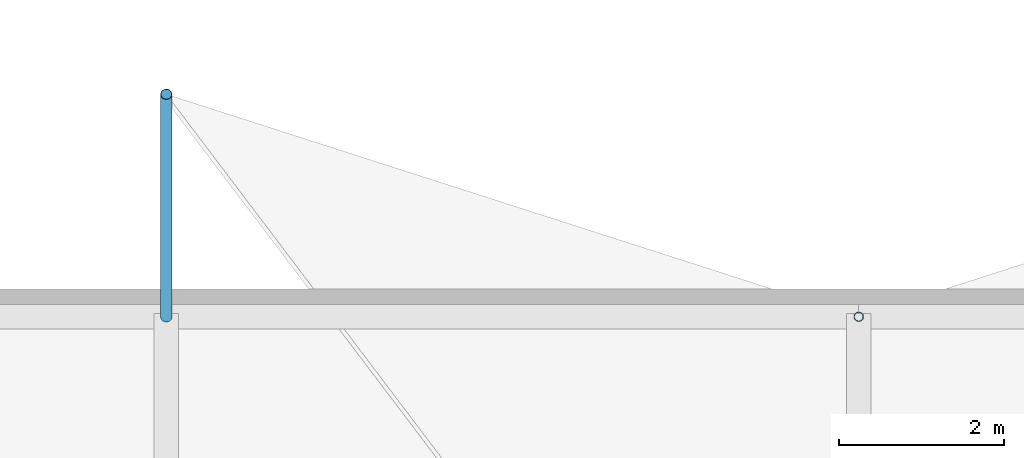
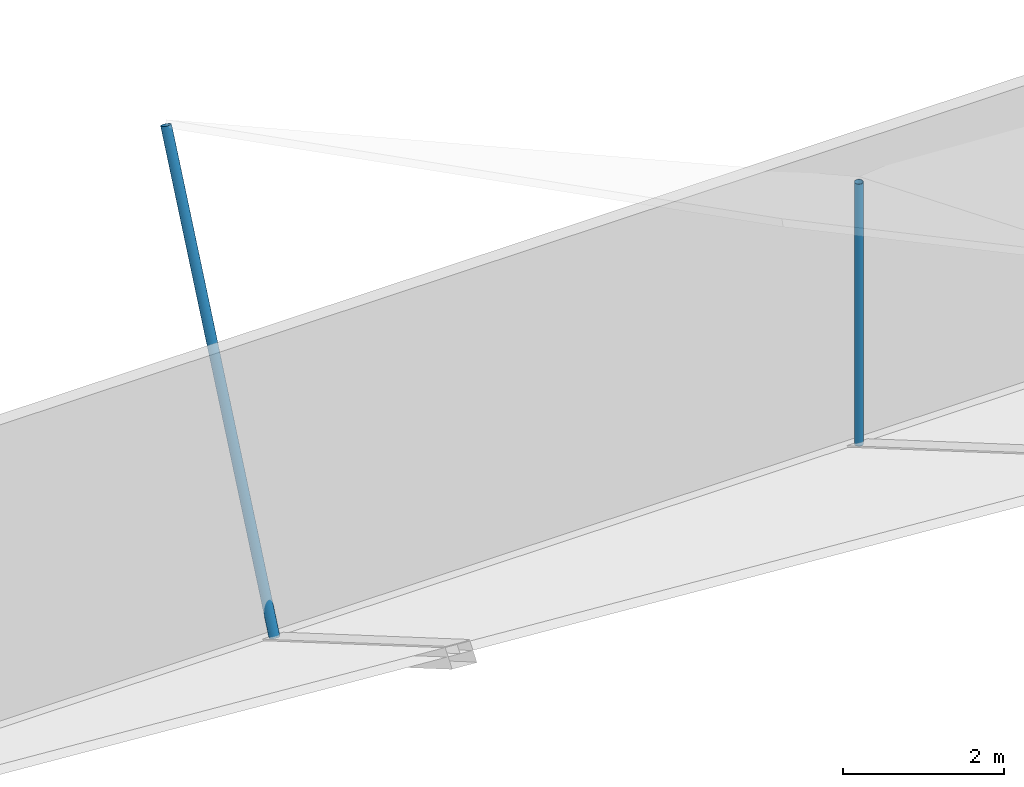
# One storey, part 98 of 111: 2 discrete accessories.
"""IFC4 building model written with IfcOpenShell, lengths in metres."""

from ifc_helpers import new_model, si_unit, direction, frame, origin, origin_2d, place, context, subcontext, project, spatial, hollow_circle, extrude, material, material_profile, profile_set, type_object, element, save


model = new_model("IFC4")

# Units and contexts
model_context = context("Model", 3, precision=1e-05, world=origin(), true_north=direction((0.0, 1.0)))
body_context = subcontext(model_context, "Body", "Model", "MODEL_VIEW")
ifc_project = project(units=[si_unit("LENGTHUNIT", "METRE"), si_unit("AREAUNIT", "SQUARE_METRE"), si_unit("VOLUMEUNIT", "CUBIC_METRE"), si_unit("PLANEANGLEUNIT", "RADIAN"), si_unit("MASSUNIT", "GRAM", prefix="KILO")], contexts=[model_context])

# Site, building, storey
site_placement = place(None, origin())
site = spatial("IfcSite", under=ifc_project, at=site_placement, CompositionType="ELEMENT")
building_placement = place(site_placement, origin())
building = spatial("IfcBuilding", under=site, at=building_placement, Name="Rain Tree Exposition and Congress Centre", CompositionType="ELEMENT")
storey_placement = place(building_placement, frame((0.0, 0.0, 19.5)))
storey = spatial("IfcBuildingStorey", under=building, at=storey_placement, Name="RF", CompositionType="ELEMENT", Elevation=19.5)

# Discrete accessories
ifc_material_1 = material(Name="Steel S355J2H", Category="steel")
ifc_material_profile_1 = material_profile(ifc_material_1, hollow_circle(Radius=0.05712890625, WallThickness=0.00439453125, at=origin_2d()), Name="CHS 114x4.5")
ifc_profile_set_1 = profile_set([ifc_material_profile_1], Name="Steel S355J2H")
discrete_accessory_type_1 = type_object("IfcDiscreteAccessoryType", Name="Roof skin post CHS 114x4.5", PredefinedType="BRACKET", material=ifc_profile_set_1)
discrete_accessory_1_placement = place(storey_placement, frame((218.39990234375, 201.60009765625, 0.5), z_axis=(0.0, 0.0, 1.0), x_axis=(1.0, 0.0, 0.0)))
element("IfcDiscreteAccessory", 1, at=discrete_accessory_1_placement, inside=storey, type_object=discrete_accessory_type_1, Name="Roof skin post B166", PredefinedType="BRACKET", context=body_context, shape_type="SweptSolid", body=[
    extrude(hollow_circle(Radius=0.05712890625, WallThickness=0.00439453125, at=origin_2d()), origin(), (0.0, 0.0, 1.0), 3.982421875),
])
ifc_material_2 = material(Name="Steel S355J2H", Category="steel")
ifc_material_profile_2 = material_profile(ifc_material_2, hollow_circle(Radius=0.06982421875, WallThickness=0.0048828125, at=origin_2d()), Name="CHS 140x5")
ifc_profile_set_2 = profile_set([ifc_material_profile_2], Name="Steel S355J2H")
discrete_accessory_type_2 = type_object("IfcDiscreteAccessoryType", Name="Roof skin post CHS 140x5", PredefinedType="BRACKET", material=ifc_profile_set_2)
discrete_accessory_2_placement = place(storey_placement, frame((210.0, 201.60009765625, 0.5), z_axis=(0.0, 0.402016079345, 0.915632607517), x_axis=(-1.0, 0.0, 0.0)))
element("IfcDiscreteAccessory", 2, at=discrete_accessory_2_placement, inside=storey, type_object=discrete_accessory_type_2, Name="Roof skin post B165", PredefinedType="BRACKET", context=body_context, shape_type="SweptSolid", body=[
    extrude(hollow_circle(Radius=0.06982421875, WallThickness=0.0048828125, at=origin_2d()), origin(), (0.0, 0.0, 1.0), 6.716064453125),
])

save(model, "model.ifc")
